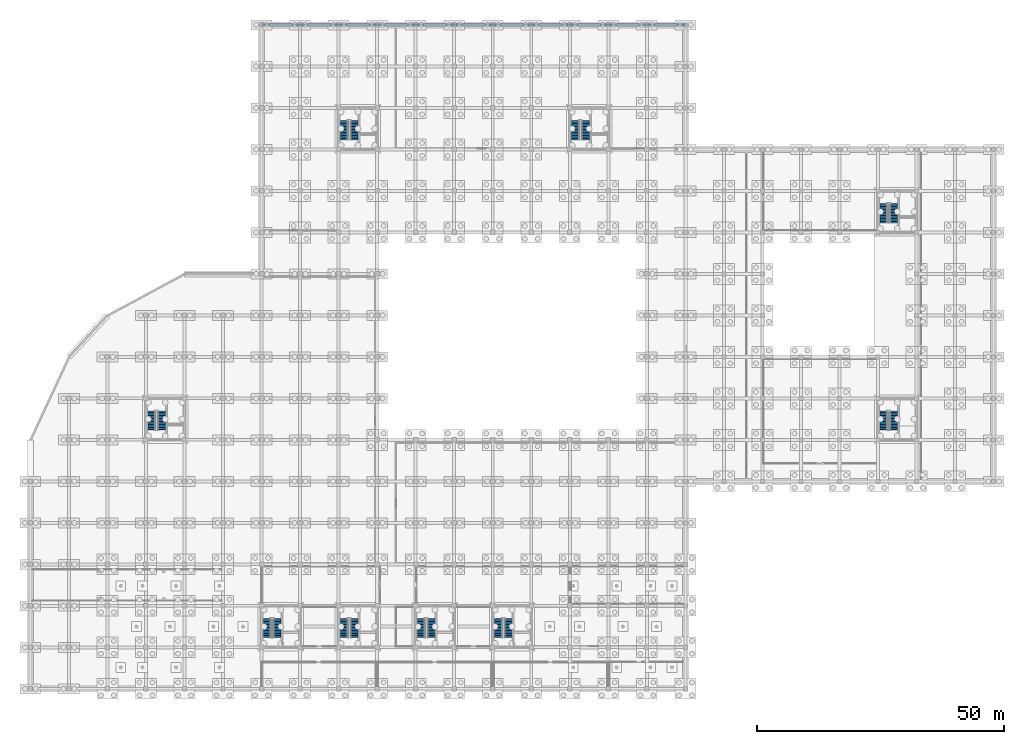
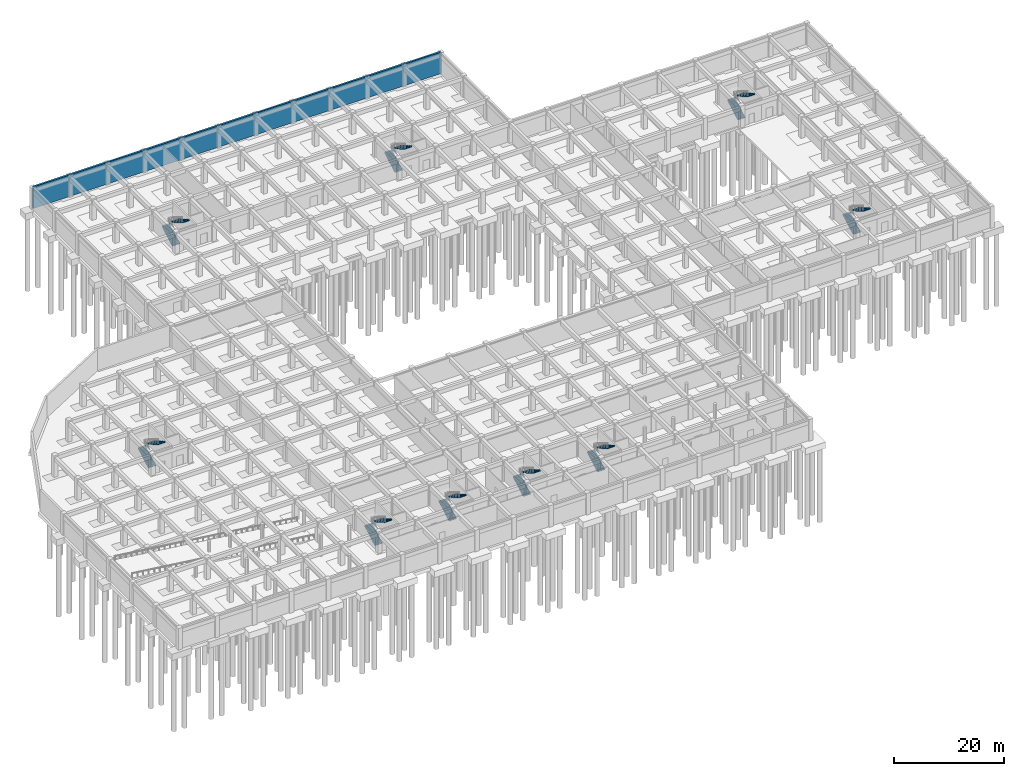
# One storey, part 26 of 31: 18 stair flights, 1 wall, 9 elements without a shape of their own.
"""IFC4 building model written with IfcOpenShell, lengths in metres."""

from ifc_helpers import new_model, si_unit, direction, frame, frame_2d, origin, place, context, subcontext, project, spatial, polyline, rectangle, outline, extrude, material, layer, layer_set, type_object, element, aggregate, save


model = new_model("IFC4")

# Units and contexts
model_context = context("Model", 3, precision=1e-05, world=origin(), true_north=direction((0.0, 1.0)))
body_context = subcontext(model_context, "Body", "Model", "MODEL_VIEW")
ifc_project = project(units=[si_unit("LENGTHUNIT", "METRE"), si_unit("AREAUNIT", "SQUARE_METRE"), si_unit("VOLUMEUNIT", "CUBIC_METRE"), si_unit("PLANEANGLEUNIT", "RADIAN"), si_unit("MASSUNIT", "GRAM", prefix="KILO")], contexts=[model_context])

# Site, building, storey
site_placement = place(None, origin())
site = spatial("IfcSite", under=ifc_project, at=site_placement, CompositionType="ELEMENT")
building_placement = place(site_placement, origin())
building = spatial("IfcBuilding", under=site, at=building_placement, Name="Zizhar Promenade General Hospital", CompositionType="ELEMENT")
storey_placement = place(building_placement, frame((0.0, 0.0, -4.800048828125)))
storey = spatial("IfcBuildingStorey", under=building, at=storey_placement, Name="B1", CompositionType="ELEMENT", Elevation=-4.800048828125)

# Wall
ifc_material_1 = material(Name="Concrete C35/45", Category="concrete")
ifc_layer = layer(ifc_material_1, 0.39990234375)
ifc_layer_set = layer_set([ifc_layer], Name="Concrete C35/45")
wall_type = type_object("IfcWallType", Name="WL-BSMT-400", PredefinedType="SOLIDWALL", material=ifc_layer_set)
wall_placement = place(storey_placement, frame((132.60009765625, 134.39990234375, 0.0), z_axis=(0.0, 0.0, 1.0), x_axis=(-1.0, 0.0, 0.0)))
element("IfcWall", 1, at=wall_placement, inside=storey, type_object=wall_type, Name="Basement Retaining Wall B07", PredefinedType="SOLIDWALL", context=body_context, shape_type="SweptSolid", body=[
    extrude(rectangle(XDim=85.800048828125, YDim=0.39990234375, at=frame_2d((42.89990234375, 0.0))), origin(), (0.0, 0.0, 1.0), 4.800048828125),
])

# Stair, stair flights
ifc_material_2 = material(Name="Concrete C35/45", Category="concrete")
stair_type = type_object("IfcStairType", Name="STR-DOG-480", PredefinedType="HALF_TURN_STAIR", material=ifc_material_2)
stair_1_placement = place(storey_placement, origin())
stair_1 = element("IfcStair", 2, at=stair_1_placement, inside=storey, type_object=stair_type, Name="Exit Stair ST-01 (B1 to L00)", PredefinedType="HALF_TURN_STAIR")
ifc_material_3 = material(Name="Concrete C35/45", Category="concrete")
stair_flight_type = type_object("IfcStairFlightType", Name="SFL-DOG-480", PredefinedType="STRAIGHT", material=ifc_material_3)
stair_flight_1_placement = place(storey_placement, frame((24.550048828125, 52.35009765625, 0.0), z_axis=(0.0, 0.0, 1.0), x_axis=(0.0, 1.0, 0.0)))
stair_flight_1 = element("IfcStairFlight", 3, at=stair_flight_1_placement, type_object=stair_flight_type, Name="ST-01A flight 1", NumberOfRisers=14, NumberOfTreads=13, PredefinedType="STRAIGHT", RiserHeight=0.171429, TreadLength=0.3, context=body_context, shape_type="SweptSolid", body=[
    extrude(outline(polyline([(0.0, 0.0), (0.0, 0.17138671875), (0.300048828125, 0.17138671875), (0.300048828125, 0.3427734375), (0.60009765625, 0.3427734375), (0.60009765625, 0.514404296875), (0.89990234375, 0.514404296875), (0.89990234375, 0.685791015625), (1.199951171875, 0.685791015625), (1.199951171875, 0.857177734375), (1.5, 0.857177734375), (1.5, 1.028564453125), (1.800048828125, 1.028564453125), (1.800048828125, 1.199951171875), (2.10009765625, 1.199951171875), (2.10009765625, 1.371337890625), (2.39990234375, 1.371337890625), (2.39990234375, 1.54296875), (2.699951171875, 1.54296875), (2.699951171875, 1.71435546875), (3.0, 1.71435546875), (3.0, 1.8857421875), (3.300048828125, 1.8857421875), (3.300048828125, 2.05712890625), (3.60009765625, 2.05712890625), (3.60009765625, 2.228515625), (3.89990234375, 2.228515625), (3.89990234375, 2.39990234375), (3.89990234375, 2.021240234375), (0.362548828125, 0.0), (0.0, 0.0)])), frame((0.0, 0.780029296875, 0.0), z_axis=(0.0, -1.0, 0.0), x_axis=(1.0, 0.0, 0.0)), (0.0, 0.0, 1.0), 1.56005859375),
])
stair_flight_2_placement = place(storey_placement, frame((26.590087890625, 56.25, 2.400146484375), z_axis=(0.0, 0.0, 1.0), x_axis=(0.0, -1.0, 0.0)))
stair_flight_2 = element("IfcStairFlight", 4, at=stair_flight_2_placement, type_object=stair_flight_type, Name="ST-01A flight 2", NumberOfRisers=14, NumberOfTreads=13, PredefinedType="STRAIGHT", RiserHeight=0.171429, TreadLength=0.3, context=body_context, shape_type="SweptSolid", body=[
    extrude(outline(polyline([(0.0, 0.0), (0.0, 0.17138671875), (0.300048828125, 0.17138671875), (0.300048828125, 0.3427734375), (0.60009765625, 0.3427734375), (0.60009765625, 0.514404296875), (0.89990234375, 0.514404296875), (0.89990234375, 0.685791015625), (1.199951171875, 0.685791015625), (1.199951171875, 0.857177734375), (1.5, 0.857177734375), (1.5, 1.028564453125), (1.800048828125, 1.028564453125), (1.800048828125, 1.199951171875), (2.10009765625, 1.199951171875), (2.10009765625, 1.371337890625), (2.39990234375, 1.371337890625), (2.39990234375, 1.54296875), (2.699951171875, 1.54296875), (2.699951171875, 1.71435546875), (3.0, 1.71435546875), (3.0, 1.8857421875), (3.300048828125, 1.8857421875), (3.300048828125, 2.05712890625), (3.60009765625, 2.05712890625), (3.60009765625, 2.228515625), (3.89990234375, 2.228515625), (3.89990234375, 2.39990234375), (3.89990234375, 2.021240234375), (0.362548828125, 0.0), (0.0, 0.0)])), frame((0.0, 0.780029296875, 0.0), z_axis=(0.0, -1.0, 0.0), x_axis=(1.0, 0.0, 0.0)), (0.0, 0.0, 1.0), 1.56005859375),
])
aggregate(stair_1, [stair_flight_1, stair_flight_2])

stair_2_placement = place(storey_placement, origin())
stair_2 = element("IfcStair", 5, at=stair_2_placement, inside=storey, type_object=stair_type, Name="Exit Stair ST-02 (B1 to L00)", PredefinedType="HALF_TURN_STAIR")
stair_flight_3_placement = place(storey_placement, frame((47.949951171875, 10.35009765625, 0.0), z_axis=(0.0, 0.0, 1.0), x_axis=(0.0, 1.0, 0.0)))
stair_flight_3 = element("IfcStairFlight", 6, at=stair_flight_3_placement, type_object=stair_flight_type, Name="ST-02A flight 1", NumberOfRisers=14, NumberOfTreads=13, PredefinedType="STRAIGHT", RiserHeight=0.171429, TreadLength=0.3, context=body_context, shape_type="SweptSolid", body=[
    extrude(outline(polyline([(0.0, 0.0), (0.0, 0.17138671875), (0.300048828125, 0.17138671875), (0.300048828125, 0.3427734375), (0.60009765625, 0.3427734375), (0.60009765625, 0.514404296875), (0.89990234375, 0.514404296875), (0.89990234375, 0.685791015625), (1.199951171875, 0.685791015625), (1.199951171875, 0.857177734375), (1.5, 0.857177734375), (1.5, 1.028564453125), (1.800048828125, 1.028564453125), (1.800048828125, 1.199951171875), (2.10009765625, 1.199951171875), (2.10009765625, 1.371337890625), (2.39990234375, 1.371337890625), (2.39990234375, 1.54296875), (2.699951171875, 1.54296875), (2.699951171875, 1.71435546875), (3.0, 1.71435546875), (3.0, 1.8857421875), (3.300048828125, 1.8857421875), (3.300048828125, 2.05712890625), (3.60009765625, 2.05712890625), (3.60009765625, 2.228515625), (3.89990234375, 2.228515625), (3.89990234375, 2.39990234375), (3.89990234375, 2.021240234375), (0.362548828125, 0.0), (0.0, 0.0)])), frame((0.0, 0.780029296875, 0.0), z_axis=(0.0, -1.0, 0.0), x_axis=(1.0, 0.0, 0.0)), (0.0, 0.0, 1.0), 1.56005859375),
])
stair_flight_4_placement = place(storey_placement, frame((49.989990234375, 14.25, 2.400146484375), z_axis=(0.0, 0.0, 1.0), x_axis=(0.0, -1.0, 0.0)))
stair_flight_4 = element("IfcStairFlight", 7, at=stair_flight_4_placement, type_object=stair_flight_type, Name="ST-02A flight 2", NumberOfRisers=14, NumberOfTreads=13, PredefinedType="STRAIGHT", RiserHeight=0.171429, TreadLength=0.3, context=body_context, shape_type="SweptSolid", body=[
    extrude(outline(polyline([(0.0, 0.0), (0.0, 0.17138671875), (0.300048828125, 0.17138671875), (0.300048828125, 0.3427734375), (0.60009765625, 0.3427734375), (0.60009765625, 0.514404296875), (0.89990234375, 0.514404296875), (0.89990234375, 0.685791015625), (1.199951171875, 0.685791015625), (1.199951171875, 0.857177734375), (1.5, 0.857177734375), (1.5, 1.028564453125), (1.800048828125, 1.028564453125), (1.800048828125, 1.199951171875), (2.10009765625, 1.199951171875), (2.10009765625, 1.371337890625), (2.39990234375, 1.371337890625), (2.39990234375, 1.54296875), (2.699951171875, 1.54296875), (2.699951171875, 1.71435546875), (3.0, 1.71435546875), (3.0, 1.8857421875), (3.300048828125, 1.8857421875), (3.300048828125, 2.05712890625), (3.60009765625, 2.05712890625), (3.60009765625, 2.228515625), (3.89990234375, 2.228515625), (3.89990234375, 2.39990234375), (3.89990234375, 2.021240234375), (0.362548828125, 0.0), (0.0, 0.0)])), frame((0.0, 0.780029296875, 0.0), z_axis=(0.0, -1.0, 0.0), x_axis=(1.0, 0.0, 0.0)), (0.0, 0.0, 1.0), 1.56005859375),
])
aggregate(stair_2, [stair_flight_3, stair_flight_4])

stair_3_placement = place(storey_placement, origin())
stair_3 = element("IfcStair", 8, at=stair_3_placement, inside=storey, type_object=stair_type, Name="Exit Stair ST-03 (B1 to L00)", PredefinedType="HALF_TURN_STAIR")
stair_flight_5_placement = place(storey_placement, frame((63.550048828125, 10.35009765625, 0.0), z_axis=(0.0, 0.0, 1.0), x_axis=(0.0, 1.0, 0.0)))
stair_flight_5 = element("IfcStairFlight", 9, at=stair_flight_5_placement, type_object=stair_flight_type, Name="ST-03A flight 1", NumberOfRisers=14, NumberOfTreads=13, PredefinedType="STRAIGHT", RiserHeight=0.171429, TreadLength=0.3, context=body_context, shape_type="SweptSolid", body=[
    extrude(outline(polyline([(0.0, 0.0), (0.0, 0.17138671875), (0.300048828125, 0.17138671875), (0.300048828125, 0.3427734375), (0.60009765625, 0.3427734375), (0.60009765625, 0.514404296875), (0.89990234375, 0.514404296875), (0.89990234375, 0.685791015625), (1.199951171875, 0.685791015625), (1.199951171875, 0.857177734375), (1.5, 0.857177734375), (1.5, 1.028564453125), (1.800048828125, 1.028564453125), (1.800048828125, 1.199951171875), (2.10009765625, 1.199951171875), (2.10009765625, 1.371337890625), (2.39990234375, 1.371337890625), (2.39990234375, 1.54296875), (2.699951171875, 1.54296875), (2.699951171875, 1.71435546875), (3.0, 1.71435546875), (3.0, 1.8857421875), (3.300048828125, 1.8857421875), (3.300048828125, 2.05712890625), (3.60009765625, 2.05712890625), (3.60009765625, 2.228515625), (3.89990234375, 2.228515625), (3.89990234375, 2.39990234375), (3.89990234375, 2.021240234375), (0.362548828125, 0.0), (0.0, 0.0)])), frame((0.0, 0.780029296875, 0.0), z_axis=(0.0, -1.0, 0.0), x_axis=(1.0, 0.0, 0.0)), (0.0, 0.0, 1.0), 1.56005859375),
])
stair_flight_6_placement = place(storey_placement, frame((65.590087890625, 14.25, 2.400146484375), z_axis=(0.0, 0.0, 1.0), x_axis=(0.0, -1.0, 0.0)))
stair_flight_6 = element("IfcStairFlight", 10, at=stair_flight_6_placement, type_object=stair_flight_type, Name="ST-03A flight 2", NumberOfRisers=14, NumberOfTreads=13, PredefinedType="STRAIGHT", RiserHeight=0.171429, TreadLength=0.3, context=body_context, shape_type="SweptSolid", body=[
    extrude(outline(polyline([(0.0, 0.0), (0.0, 0.17138671875), (0.300048828125, 0.17138671875), (0.300048828125, 0.3427734375), (0.60009765625, 0.3427734375), (0.60009765625, 0.514404296875), (0.89990234375, 0.514404296875), (0.89990234375, 0.685791015625), (1.199951171875, 0.685791015625), (1.199951171875, 0.857177734375), (1.5, 0.857177734375), (1.5, 1.028564453125), (1.800048828125, 1.028564453125), (1.800048828125, 1.199951171875), (2.10009765625, 1.199951171875), (2.10009765625, 1.371337890625), (2.39990234375, 1.371337890625), (2.39990234375, 1.54296875), (2.699951171875, 1.54296875), (2.699951171875, 1.71435546875), (3.0, 1.71435546875), (3.0, 1.8857421875), (3.300048828125, 1.8857421875), (3.300048828125, 2.05712890625), (3.60009765625, 2.05712890625), (3.60009765625, 2.228515625), (3.89990234375, 2.228515625), (3.89990234375, 2.39990234375), (3.89990234375, 2.021240234375), (0.362548828125, 0.0), (0.0, 0.0)])), frame((0.0, 0.780029296875, 0.0), z_axis=(0.0, -1.0, 0.0), x_axis=(1.0, 0.0, 0.0)), (0.0, 0.0, 1.0), 1.56005859375),
])
aggregate(stair_3, [stair_flight_5, stair_flight_6])

stair_4_placement = place(storey_placement, origin())
stair_4 = element("IfcStair", 11, at=stair_4_placement, inside=storey, type_object=stair_type, Name="Exit Stair ST-04 (B1 to L00)", PredefinedType="HALF_TURN_STAIR")
stair_flight_7_placement = place(storey_placement, frame((79.14990234375, 10.35009765625, 0.0), z_axis=(0.0, 0.0, 1.0), x_axis=(0.0, 1.0, 0.0)))
stair_flight_7 = element("IfcStairFlight", 12, at=stair_flight_7_placement, type_object=stair_flight_type, Name="ST-04A flight 1", NumberOfRisers=14, NumberOfTreads=13, PredefinedType="STRAIGHT", RiserHeight=0.171429, TreadLength=0.3, context=body_context, shape_type="SweptSolid", body=[
    extrude(outline(polyline([(0.0, 0.0), (0.0, 0.17138671875), (0.300048828125, 0.17138671875), (0.300048828125, 0.3427734375), (0.60009765625, 0.3427734375), (0.60009765625, 0.514404296875), (0.89990234375, 0.514404296875), (0.89990234375, 0.685791015625), (1.199951171875, 0.685791015625), (1.199951171875, 0.857177734375), (1.5, 0.857177734375), (1.5, 1.028564453125), (1.800048828125, 1.028564453125), (1.800048828125, 1.199951171875), (2.10009765625, 1.199951171875), (2.10009765625, 1.371337890625), (2.39990234375, 1.371337890625), (2.39990234375, 1.54296875), (2.699951171875, 1.54296875), (2.699951171875, 1.71435546875), (3.0, 1.71435546875), (3.0, 1.8857421875), (3.300048828125, 1.8857421875), (3.300048828125, 2.05712890625), (3.60009765625, 2.05712890625), (3.60009765625, 2.228515625), (3.89990234375, 2.228515625), (3.89990234375, 2.39990234375), (3.89990234375, 2.021240234375), (0.362548828125, 0.0), (0.0, 0.0)])), frame((0.0, 0.780029296875, 0.0), z_axis=(0.0, -1.0, 0.0), x_axis=(1.0, 0.0, 0.0)), (0.0, 0.0, 1.0), 1.56005859375),
])
stair_flight_8_placement = place(storey_placement, frame((81.18994140625, 14.25, 2.400146484375), z_axis=(0.0, 0.0, 1.0), x_axis=(0.0, -1.0, 0.0)))
stair_flight_8 = element("IfcStairFlight", 13, at=stair_flight_8_placement, type_object=stair_flight_type, Name="ST-04A flight 2", NumberOfRisers=14, NumberOfTreads=13, PredefinedType="STRAIGHT", RiserHeight=0.171429, TreadLength=0.3, context=body_context, shape_type="SweptSolid", body=[
    extrude(outline(polyline([(0.0, 0.0), (0.0, 0.17138671875), (0.300048828125, 0.17138671875), (0.300048828125, 0.3427734375), (0.60009765625, 0.3427734375), (0.60009765625, 0.514404296875), (0.89990234375, 0.514404296875), (0.89990234375, 0.685791015625), (1.199951171875, 0.685791015625), (1.199951171875, 0.857177734375), (1.5, 0.857177734375), (1.5, 1.028564453125), (1.800048828125, 1.028564453125), (1.800048828125, 1.199951171875), (2.10009765625, 1.199951171875), (2.10009765625, 1.371337890625), (2.39990234375, 1.371337890625), (2.39990234375, 1.54296875), (2.699951171875, 1.54296875), (2.699951171875, 1.71435546875), (3.0, 1.71435546875), (3.0, 1.8857421875), (3.300048828125, 1.8857421875), (3.300048828125, 2.05712890625), (3.60009765625, 2.05712890625), (3.60009765625, 2.228515625), (3.89990234375, 2.228515625), (3.89990234375, 2.39990234375), (3.89990234375, 2.021240234375), (0.362548828125, 0.0), (0.0, 0.0)])), frame((0.0, 0.780029296875, 0.0), z_axis=(0.0, -1.0, 0.0), x_axis=(1.0, 0.0, 0.0)), (0.0, 0.0, 1.0), 1.56005859375),
])
aggregate(stair_4, [stair_flight_7, stair_flight_8])

stair_5_placement = place(storey_placement, origin())
stair_5 = element("IfcStair", 14, at=stair_5_placement, inside=storey, type_object=stair_type, Name="Exit Stair ST-05 (B1 to L00)", PredefinedType="HALF_TURN_STAIR")
stair_flight_9_placement = place(storey_placement, frame((94.75, 10.35009765625, 0.0), z_axis=(0.0, 0.0, 1.0), x_axis=(0.0, 1.0, 0.0)))
stair_flight_9 = element("IfcStairFlight", 15, at=stair_flight_9_placement, type_object=stair_flight_type, Name="ST-05A flight 1", NumberOfRisers=14, NumberOfTreads=13, PredefinedType="STRAIGHT", RiserHeight=0.171429, TreadLength=0.3, context=body_context, shape_type="SweptSolid", body=[
    extrude(outline(polyline([(0.0, 0.0), (0.0, 0.17138671875), (0.300048828125, 0.17138671875), (0.300048828125, 0.3427734375), (0.60009765625, 0.3427734375), (0.60009765625, 0.514404296875), (0.89990234375, 0.514404296875), (0.89990234375, 0.685791015625), (1.199951171875, 0.685791015625), (1.199951171875, 0.857177734375), (1.5, 0.857177734375), (1.5, 1.028564453125), (1.800048828125, 1.028564453125), (1.800048828125, 1.199951171875), (2.10009765625, 1.199951171875), (2.10009765625, 1.371337890625), (2.39990234375, 1.371337890625), (2.39990234375, 1.54296875), (2.699951171875, 1.54296875), (2.699951171875, 1.71435546875), (3.0, 1.71435546875), (3.0, 1.8857421875), (3.300048828125, 1.8857421875), (3.300048828125, 2.05712890625), (3.60009765625, 2.05712890625), (3.60009765625, 2.228515625), (3.89990234375, 2.228515625), (3.89990234375, 2.39990234375), (3.89990234375, 2.021240234375), (0.362548828125, 0.0), (0.0, 0.0)])), frame((0.0, 0.780029296875, 0.0), z_axis=(0.0, -1.0, 0.0), x_axis=(1.0, 0.0, 0.0)), (0.0, 0.0, 1.0), 1.56005859375),
])
stair_flight_10_placement = place(storey_placement, frame((96.7900390625, 14.25, 2.400146484375), z_axis=(0.0, 0.0, 1.0), x_axis=(0.0, -1.0, 0.0)))
stair_flight_10 = element("IfcStairFlight", 16, at=stair_flight_10_placement, type_object=stair_flight_type, Name="ST-05A flight 2", NumberOfRisers=14, NumberOfTreads=13, PredefinedType="STRAIGHT", RiserHeight=0.171429, TreadLength=0.3, context=body_context, shape_type="SweptSolid", body=[
    extrude(outline(polyline([(0.0, 0.0), (0.0, 0.17138671875), (0.300048828125, 0.17138671875), (0.300048828125, 0.3427734375), (0.60009765625, 0.3427734375), (0.60009765625, 0.514404296875), (0.89990234375, 0.514404296875), (0.89990234375, 0.685791015625), (1.199951171875, 0.685791015625), (1.199951171875, 0.857177734375), (1.5, 0.857177734375), (1.5, 1.028564453125), (1.800048828125, 1.028564453125), (1.800048828125, 1.199951171875), (2.10009765625, 1.199951171875), (2.10009765625, 1.371337890625), (2.39990234375, 1.371337890625), (2.39990234375, 1.54296875), (2.699951171875, 1.54296875), (2.699951171875, 1.71435546875), (3.0, 1.71435546875), (3.0, 1.8857421875), (3.300048828125, 1.8857421875), (3.300048828125, 2.05712890625), (3.60009765625, 2.05712890625), (3.60009765625, 2.228515625), (3.89990234375, 2.228515625), (3.89990234375, 2.39990234375), (3.89990234375, 2.021240234375), (0.362548828125, 0.0), (0.0, 0.0)])), frame((0.0, 0.780029296875, 0.0), z_axis=(0.0, -1.0, 0.0), x_axis=(1.0, 0.0, 0.0)), (0.0, 0.0, 1.0), 1.56005859375),
])
aggregate(stair_5, [stair_flight_9, stair_flight_10])

stair_6_placement = place(storey_placement, origin())
stair_6 = element("IfcStair", 17, at=stair_6_placement, inside=storey, type_object=stair_type, Name="Exit Stair ST-06 (B1 to L00)", PredefinedType="HALF_TURN_STAIR")
stair_flight_11_placement = place(storey_placement, frame((63.550048828125, 111.14990234375, 0.0), z_axis=(0.0, 0.0, 1.0), x_axis=(0.0, 1.0, 0.0)))
stair_flight_11 = element("IfcStairFlight", 18, at=stair_flight_11_placement, type_object=stair_flight_type, Name="ST-06A flight 1", NumberOfRisers=14, NumberOfTreads=13, PredefinedType="STRAIGHT", RiserHeight=0.171429, TreadLength=0.3, context=body_context, shape_type="SweptSolid", body=[
    extrude(outline(polyline([(0.0, 0.0), (0.0, 0.17138671875), (0.300048828125, 0.17138671875), (0.300048828125, 0.3427734375), (0.60009765625, 0.3427734375), (0.60009765625, 0.514404296875), (0.89990234375, 0.514404296875), (0.89990234375, 0.685791015625), (1.199951171875, 0.685791015625), (1.199951171875, 0.857177734375), (1.5, 0.857177734375), (1.5, 1.028564453125), (1.800048828125, 1.028564453125), (1.800048828125, 1.199951171875), (2.10009765625, 1.199951171875), (2.10009765625, 1.371337890625), (2.39990234375, 1.371337890625), (2.39990234375, 1.54296875), (2.699951171875, 1.54296875), (2.699951171875, 1.71435546875), (3.0, 1.71435546875), (3.0, 1.8857421875), (3.300048828125, 1.8857421875), (3.300048828125, 2.05712890625), (3.60009765625, 2.05712890625), (3.60009765625, 2.228515625), (3.89990234375, 2.228515625), (3.89990234375, 2.39990234375), (3.89990234375, 2.021240234375), (0.362548828125, 0.0), (0.0, 0.0)])), frame((0.0, 0.780029296875, 0.0), z_axis=(0.0, -1.0, 0.0), x_axis=(1.0, 0.0, 0.0)), (0.0, 0.0, 1.0), 1.56005859375),
])
stair_flight_12_placement = place(storey_placement, frame((65.590087890625, 115.050048828125, 2.400146484375), z_axis=(0.0, 0.0, 1.0), x_axis=(0.0, -1.0, 0.0)))
stair_flight_12 = element("IfcStairFlight", 19, at=stair_flight_12_placement, type_object=stair_flight_type, Name="ST-06A flight 2", NumberOfRisers=14, NumberOfTreads=13, PredefinedType="STRAIGHT", RiserHeight=0.171429, TreadLength=0.3, context=body_context, shape_type="SweptSolid", body=[
    extrude(outline(polyline([(0.0, 0.0), (0.0, 0.17138671875), (0.300048828125, 0.17138671875), (0.300048828125, 0.3427734375), (0.60009765625, 0.3427734375), (0.60009765625, 0.514404296875), (0.89990234375, 0.514404296875), (0.89990234375, 0.685791015625), (1.199951171875, 0.685791015625), (1.199951171875, 0.857177734375), (1.5, 0.857177734375), (1.5, 1.028564453125), (1.800048828125, 1.028564453125), (1.800048828125, 1.199951171875), (2.10009765625, 1.199951171875), (2.10009765625, 1.371337890625), (2.39990234375, 1.371337890625), (2.39990234375, 1.54296875), (2.699951171875, 1.54296875), (2.699951171875, 1.71435546875), (3.0, 1.71435546875), (3.0, 1.8857421875), (3.300048828125, 1.8857421875), (3.300048828125, 2.05712890625), (3.60009765625, 2.05712890625), (3.60009765625, 2.228515625), (3.89990234375, 2.228515625), (3.89990234375, 2.39990234375), (3.89990234375, 2.021240234375), (0.362548828125, 0.0), (0.0, 0.0)])), frame((0.0, 0.780029296875, 0.0), z_axis=(0.0, -1.0, 0.0), x_axis=(1.0, 0.0, 0.0)), (0.0, 0.0, 1.0), 1.56005859375),
])
aggregate(stair_6, [stair_flight_11, stair_flight_12])

stair_7_placement = place(storey_placement, origin())
stair_7 = element("IfcStair", 20, at=stair_7_placement, inside=storey, type_object=stair_type, Name="Exit Stair ST-07 (B1 to L00)", PredefinedType="HALF_TURN_STAIR")
stair_flight_13_placement = place(storey_placement, frame((110.35009765625, 111.14990234375, 0.0), z_axis=(0.0, 0.0, 1.0), x_axis=(0.0, 1.0, 0.0)))
stair_flight_13 = element("IfcStairFlight", 21, at=stair_flight_13_placement, type_object=stair_flight_type, Name="ST-07A flight 1", NumberOfRisers=14, NumberOfTreads=13, PredefinedType="STRAIGHT", RiserHeight=0.171429, TreadLength=0.3, context=body_context, shape_type="SweptSolid", body=[
    extrude(outline(polyline([(0.0, 0.0), (0.0, 0.17138671875), (0.300048828125, 0.17138671875), (0.300048828125, 0.3427734375), (0.60009765625, 0.3427734375), (0.60009765625, 0.514404296875), (0.89990234375, 0.514404296875), (0.89990234375, 0.685791015625), (1.199951171875, 0.685791015625), (1.199951171875, 0.857177734375), (1.5, 0.857177734375), (1.5, 1.028564453125), (1.800048828125, 1.028564453125), (1.800048828125, 1.199951171875), (2.10009765625, 1.199951171875), (2.10009765625, 1.371337890625), (2.39990234375, 1.371337890625), (2.39990234375, 1.54296875), (2.699951171875, 1.54296875), (2.699951171875, 1.71435546875), (3.0, 1.71435546875), (3.0, 1.8857421875), (3.300048828125, 1.8857421875), (3.300048828125, 2.05712890625), (3.60009765625, 2.05712890625), (3.60009765625, 2.228515625), (3.89990234375, 2.228515625), (3.89990234375, 2.39990234375), (3.89990234375, 2.021240234375), (0.362548828125, 0.0), (0.0, 0.0)])), frame((0.0, 0.780029296875, 0.0), z_axis=(0.0, -1.0, 0.0), x_axis=(1.0, 0.0, 0.0)), (0.0, 0.0, 1.0), 1.56005859375),
])
stair_flight_14_placement = place(storey_placement, frame((112.389892578125, 115.050048828125, 2.400146484375), z_axis=(0.0, 0.0, 1.0), x_axis=(0.0, -1.0, 0.0)))
stair_flight_14 = element("IfcStairFlight", 22, at=stair_flight_14_placement, type_object=stair_flight_type, Name="ST-07A flight 2", NumberOfRisers=14, NumberOfTreads=13, PredefinedType="STRAIGHT", RiserHeight=0.171429, TreadLength=0.3, context=body_context, shape_type="SweptSolid", body=[
    extrude(outline(polyline([(0.0, 0.0), (0.0, 0.17138671875), (0.300048828125, 0.17138671875), (0.300048828125, 0.3427734375), (0.60009765625, 0.3427734375), (0.60009765625, 0.514404296875), (0.89990234375, 0.514404296875), (0.89990234375, 0.685791015625), (1.199951171875, 0.685791015625), (1.199951171875, 0.857177734375), (1.5, 0.857177734375), (1.5, 1.028564453125), (1.800048828125, 1.028564453125), (1.800048828125, 1.199951171875), (2.10009765625, 1.199951171875), (2.10009765625, 1.371337890625), (2.39990234375, 1.371337890625), (2.39990234375, 1.54296875), (2.699951171875, 1.54296875), (2.699951171875, 1.71435546875), (3.0, 1.71435546875), (3.0, 1.8857421875), (3.300048828125, 1.8857421875), (3.300048828125, 2.05712890625), (3.60009765625, 2.05712890625), (3.60009765625, 2.228515625), (3.89990234375, 2.228515625), (3.89990234375, 2.39990234375), (3.89990234375, 2.021240234375), (0.362548828125, 0.0), (0.0, 0.0)])), frame((0.0, 0.780029296875, 0.0), z_axis=(0.0, -1.0, 0.0), x_axis=(1.0, 0.0, 0.0)), (0.0, 0.0, 1.0), 1.56005859375),
])
aggregate(stair_7, [stair_flight_13, stair_flight_14])

stair_8_placement = place(storey_placement, origin())
stair_8 = element("IfcStair", 23, at=stair_8_placement, inside=storey, type_object=stair_type, Name="Exit Stair ST-08 (B1 to L00)", PredefinedType="HALF_TURN_STAIR")
stair_flight_15_placement = place(storey_placement, frame((172.75, 94.35009765625, 0.0), z_axis=(0.0, 0.0, 1.0), x_axis=(0.0, 1.0, 0.0)))
stair_flight_15 = element("IfcStairFlight", 24, at=stair_flight_15_placement, type_object=stair_flight_type, Name="ST-08A flight 1", NumberOfRisers=14, NumberOfTreads=13, PredefinedType="STRAIGHT", RiserHeight=0.171429, TreadLength=0.3, context=body_context, shape_type="SweptSolid", body=[
    extrude(outline(polyline([(0.0, 0.0), (0.0, 0.17138671875), (0.300048828125, 0.17138671875), (0.300048828125, 0.3427734375), (0.60009765625, 0.3427734375), (0.60009765625, 0.514404296875), (0.89990234375, 0.514404296875), (0.89990234375, 0.685791015625), (1.199951171875, 0.685791015625), (1.199951171875, 0.857177734375), (1.5, 0.857177734375), (1.5, 1.028564453125), (1.800048828125, 1.028564453125), (1.800048828125, 1.199951171875), (2.10009765625, 1.199951171875), (2.10009765625, 1.371337890625), (2.39990234375, 1.371337890625), (2.39990234375, 1.54296875), (2.699951171875, 1.54296875), (2.699951171875, 1.71435546875), (3.0, 1.71435546875), (3.0, 1.8857421875), (3.300048828125, 1.8857421875), (3.300048828125, 2.05712890625), (3.60009765625, 2.05712890625), (3.60009765625, 2.228515625), (3.89990234375, 2.228515625), (3.89990234375, 2.39990234375), (3.89990234375, 2.021240234375), (0.362548828125, 0.0), (0.0, 0.0)])), frame((0.0, 0.780029296875, 0.0), z_axis=(0.0, -1.0, 0.0), x_axis=(1.0, 0.0, 0.0)), (0.0, 0.0, 1.0), 1.56005859375),
])
stair_flight_16_placement = place(storey_placement, frame((174.7900390625, 98.25, 2.400146484375), z_axis=(0.0, 0.0, 1.0), x_axis=(0.0, -1.0, 0.0)))
stair_flight_16 = element("IfcStairFlight", 25, at=stair_flight_16_placement, type_object=stair_flight_type, Name="ST-08A flight 2", NumberOfRisers=14, NumberOfTreads=13, PredefinedType="STRAIGHT", RiserHeight=0.171429, TreadLength=0.3, context=body_context, shape_type="SweptSolid", body=[
    extrude(outline(polyline([(0.0, 0.0), (0.0, 0.17138671875), (0.300048828125, 0.17138671875), (0.300048828125, 0.3427734375), (0.60009765625, 0.3427734375), (0.60009765625, 0.514404296875), (0.89990234375, 0.514404296875), (0.89990234375, 0.685791015625), (1.199951171875, 0.685791015625), (1.199951171875, 0.857177734375), (1.5, 0.857177734375), (1.5, 1.028564453125), (1.800048828125, 1.028564453125), (1.800048828125, 1.199951171875), (2.10009765625, 1.199951171875), (2.10009765625, 1.371337890625), (2.39990234375, 1.371337890625), (2.39990234375, 1.54296875), (2.699951171875, 1.54296875), (2.699951171875, 1.71435546875), (3.0, 1.71435546875), (3.0, 1.8857421875), (3.300048828125, 1.8857421875), (3.300048828125, 2.05712890625), (3.60009765625, 2.05712890625), (3.60009765625, 2.228515625), (3.89990234375, 2.228515625), (3.89990234375, 2.39990234375), (3.89990234375, 2.021240234375), (0.362548828125, 0.0), (0.0, 0.0)])), frame((0.0, 0.780029296875, 0.0), z_axis=(0.0, -1.0, 0.0), x_axis=(1.0, 0.0, 0.0)), (0.0, 0.0, 1.0), 1.56005859375),
])
aggregate(stair_8, [stair_flight_15, stair_flight_16])

stair_9_placement = place(storey_placement, origin())
stair_9 = element("IfcStair", 26, at=stair_9_placement, inside=storey, type_object=stair_type, Name="Exit Stair ST-09 (B1 to L00)", PredefinedType="HALF_TURN_STAIR")
stair_flight_17_placement = place(storey_placement, frame((172.75, 52.35009765625, 0.0), z_axis=(0.0, 0.0, 1.0), x_axis=(0.0, 1.0, 0.0)))
stair_flight_17 = element("IfcStairFlight", 27, at=stair_flight_17_placement, type_object=stair_flight_type, Name="ST-09A flight 1", NumberOfRisers=14, NumberOfTreads=13, PredefinedType="STRAIGHT", RiserHeight=0.171429, TreadLength=0.3, context=body_context, shape_type="SweptSolid", body=[
    extrude(outline(polyline([(0.0, 0.0), (0.0, 0.17138671875), (0.300048828125, 0.17138671875), (0.300048828125, 0.3427734375), (0.60009765625, 0.3427734375), (0.60009765625, 0.514404296875), (0.89990234375, 0.514404296875), (0.89990234375, 0.685791015625), (1.199951171875, 0.685791015625), (1.199951171875, 0.857177734375), (1.5, 0.857177734375), (1.5, 1.028564453125), (1.800048828125, 1.028564453125), (1.800048828125, 1.199951171875), (2.10009765625, 1.199951171875), (2.10009765625, 1.371337890625), (2.39990234375, 1.371337890625), (2.39990234375, 1.54296875), (2.699951171875, 1.54296875), (2.699951171875, 1.71435546875), (3.0, 1.71435546875), (3.0, 1.8857421875), (3.300048828125, 1.8857421875), (3.300048828125, 2.05712890625), (3.60009765625, 2.05712890625), (3.60009765625, 2.228515625), (3.89990234375, 2.228515625), (3.89990234375, 2.39990234375), (3.89990234375, 2.021240234375), (0.362548828125, 0.0), (0.0, 0.0)])), frame((0.0, 0.780029296875, 0.0), z_axis=(0.0, -1.0, 0.0), x_axis=(1.0, 0.0, 0.0)), (0.0, 0.0, 1.0), 1.56005859375),
])
stair_flight_18_placement = place(storey_placement, frame((174.7900390625, 56.25, 2.400146484375), z_axis=(0.0, 0.0, 1.0), x_axis=(0.0, -1.0, 0.0)))
stair_flight_18 = element("IfcStairFlight", 28, at=stair_flight_18_placement, type_object=stair_flight_type, Name="ST-09A flight 2", NumberOfRisers=14, NumberOfTreads=13, PredefinedType="STRAIGHT", RiserHeight=0.171429, TreadLength=0.3, context=body_context, shape_type="SweptSolid", body=[
    extrude(outline(polyline([(0.0, 0.0), (0.0, 0.17138671875), (0.300048828125, 0.17138671875), (0.300048828125, 0.3427734375), (0.60009765625, 0.3427734375), (0.60009765625, 0.514404296875), (0.89990234375, 0.514404296875), (0.89990234375, 0.685791015625), (1.199951171875, 0.685791015625), (1.199951171875, 0.857177734375), (1.5, 0.857177734375), (1.5, 1.028564453125), (1.800048828125, 1.028564453125), (1.800048828125, 1.199951171875), (2.10009765625, 1.199951171875), (2.10009765625, 1.371337890625), (2.39990234375, 1.371337890625), (2.39990234375, 1.54296875), (2.699951171875, 1.54296875), (2.699951171875, 1.71435546875), (3.0, 1.71435546875), (3.0, 1.8857421875), (3.300048828125, 1.8857421875), (3.300048828125, 2.05712890625), (3.60009765625, 2.05712890625), (3.60009765625, 2.228515625), (3.89990234375, 2.228515625), (3.89990234375, 2.39990234375), (3.89990234375, 2.021240234375), (0.362548828125, 0.0), (0.0, 0.0)])), frame((0.0, 0.780029296875, 0.0), z_axis=(0.0, -1.0, 0.0), x_axis=(1.0, 0.0, 0.0)), (0.0, 0.0, 1.0), 1.56005859375),
])
aggregate(stair_9, [stair_flight_17, stair_flight_18])

save(model, "model.ifc")
